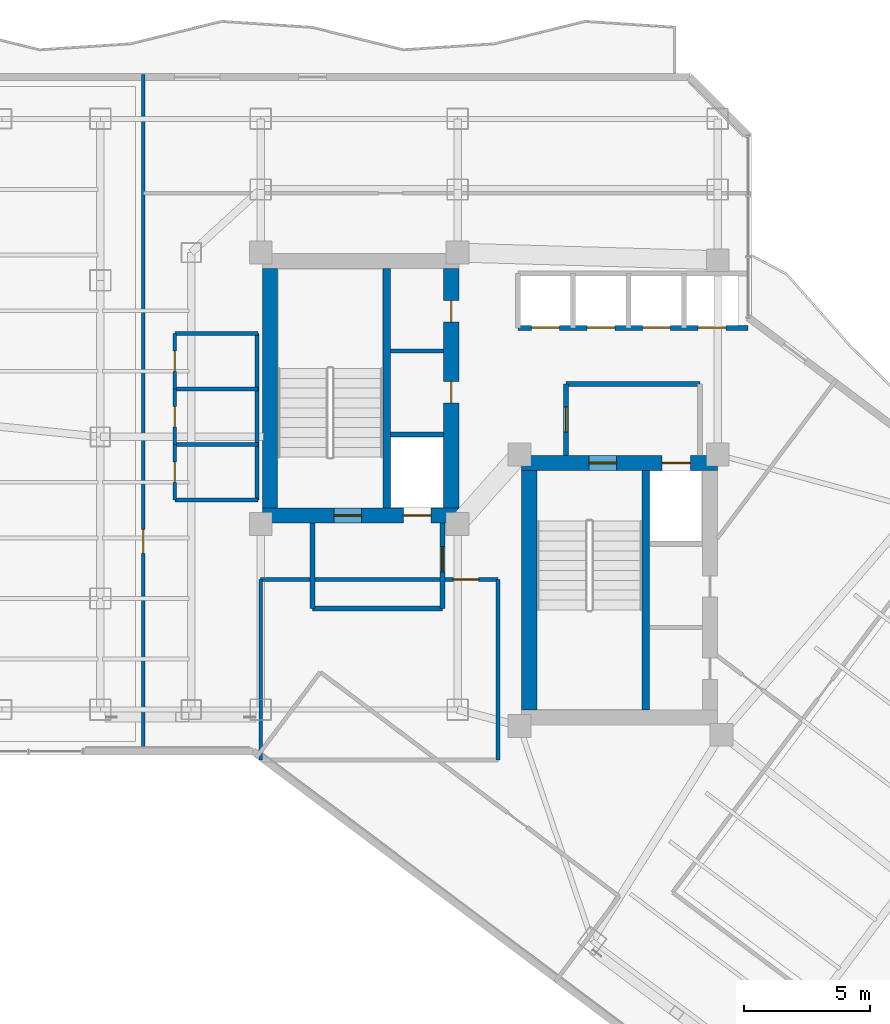
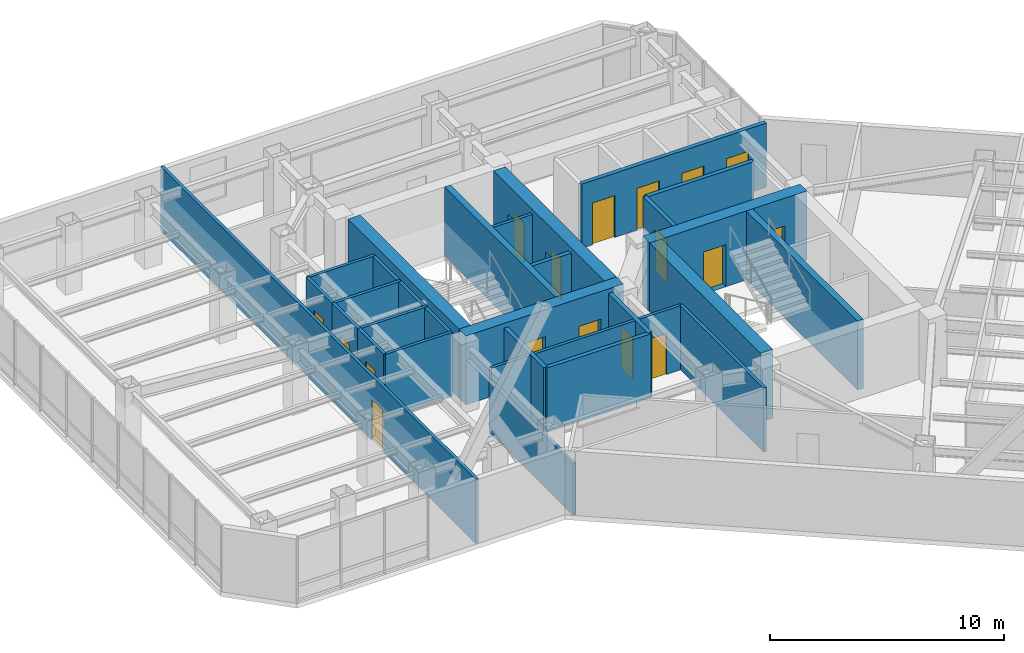
# One storey, part 22 of 26: 27 walls, 17 doors, 17 openings.
"""IFC4 building model written with IfcOpenShell, lengths in metres."""

from ifc_helpers import new_model, si_unit, direction, frame, frame_2d, origin, place, context, subcontext, project, spatial, rectangle, extrude, material, layer, layer_set, type_object, element, fill, save


model = new_model("IFC4")

# Units and contexts
model_context = context("Model", 3, precision=1e-05, world=origin(), true_north=direction((0.0, 1.0)))
body_context = subcontext(model_context, "Body", "Model", "MODEL_VIEW")
ifc_project = project(units=[si_unit("LENGTHUNIT", "METRE"), si_unit("AREAUNIT", "SQUARE_METRE"), si_unit("VOLUMEUNIT", "CUBIC_METRE"), si_unit("PLANEANGLEUNIT", "RADIAN"), si_unit("MASSUNIT", "GRAM", prefix="KILO")], contexts=[model_context])

# Site, building, storey
site_placement = place(None, origin())
site = spatial("IfcSite", under=ifc_project, at=site_placement, CompositionType="ELEMENT")
building_placement = place(site_placement, origin())
building = spatial("IfcBuilding", under=site, at=building_placement, Name="Hatsunagi Terrace Concourse", CompositionType="ELEMENT")
storey_placement = place(building_placement, frame((0.0, 0.0, 134.85009765625)))
storey = spatial("IfcBuildingStorey", under=building, at=storey_placement, Name="L35", CompositionType="ELEMENT", Elevation=134.85009765625)

# Wall, openings, doors
ifc_material_1 = material(Name="Concrete Fc48", Category="concrete")
ifc_layer_1 = layer(ifc_material_1, 0.60009765625)
ifc_layer_set_1 = layer_set([ifc_layer_1], Name="CoreShearWall_Fc48_600")
wall_type_1 = type_object("IfcWallType", Name="CoreShearWall_Fc48_600", PredefinedType="SHEAR", material=ifc_layer_set_1)
wall_1_placement = place(storey_placement, frame((25.6201171875, 32.889892578125, 0.0), z_axis=(0.0, 0.0, 1.0), x_axis=(1.0, 0.0, 0.0)))
wall_1 = element("IfcWall", 1, at=wall_1_placement, inside=storey, type_object=wall_type_1, Name="Core A Shear Wall S L35", PredefinedType="SHEAR", context=body_context, shape_type="SweptSolid", body=[
    extrude(rectangle(XDim=7.77978515625, YDim=0.60009765625, at=frame_2d((3.889892578125, 0.0))), origin(), (0.0, 0.0, 1.0), 3.599853515625),
])
opening_1_placement = place(wall_1_placement, frame((2.830078125, 0.0, 0.0)))
opening_1 = element("IfcOpeningElement", 2, at=opening_1_placement, cuts=wall_1, Name="Opening DR-110S", PredefinedType="OPENING", context=body_context, shape_type="SweptSolid", body=[
    extrude(rectangle(XDim=1.10009765625, YDim=2.199951171875, at=frame_2d((0.550048828125, 1.10009765625))), frame((0.0, 0.31005859375, 0.0), z_axis=(0.0, -1.0, 0.0), x_axis=(1.0, 0.0, 0.0)), (0.0, 0.0, 1.0), 0.6201171875),
])
opening_2_placement = place(wall_1_placement, frame((5.580078125, 0.0, 0.0)))
opening_2 = element("IfcOpeningElement", 3, at=opening_2_placement, cuts=wall_1, Name="Opening LD-01", PredefinedType="OPENING", context=body_context, shape_type="SweptSolid", body=[
    extrude(rectangle(XDim=1.10009765625, YDim=2.14990234375, at=frame_2d((0.550048828125, 1.074951171875))), frame((0.0, 0.31005859375, 0.0), z_axis=(0.0, -1.0, 0.0), x_axis=(1.0, 0.0, 0.0)), (0.0, 0.0, 1.0), 0.6201171875),
])
ifc_material_2 = material(Name="Stainless steel", Category="steel")
door_type_1 = type_object("IfcDoorType", Name="LiftLandingDoor_LD01", OperationType="SLIDING_TO_LEFT", PredefinedType="USERDEFINED", material=ifc_material_2)
door_1_placement = place(opening_2_placement, origin())
door_1 = element("IfcDoor", 4, at=door_1_placement, inside=storey, type_object=door_type_1, Name="Lift landing door FF-01 L35", ObjectType="SLIDING_LANDING_DOOR", OperationType="SLIDING_TO_LEFT", OverallHeight=2.14990234375, OverallWidth=1.10009765625, PredefinedType="USERDEFINED", context=body_context, shape_type="SweptSolid", body=[
    extrude(rectangle(XDim=1.10009765625, YDim=2.14990234375, at=frame_2d((0.550048828125, 1.074951171875))), frame((0.0, 0.02490234375, 0.0), z_axis=(0.0, -1.0, 0.0), x_axis=(1.0, 0.0, 0.0)), (0.0, 0.0, 1.0), 0.050048828125),
])
fill(opening_2, door_1)
ifc_material_3 = material(Name="Painted steel", Category="steel")
door_type_2 = type_object("IfcDoorType", Name="StairFireDoor_EI60_1100", OperationType="NOTDEFINED", PredefinedType="DOOR", material=ifc_material_3)
door_2_placement = place(opening_1_placement, origin())
door_2 = element("IfcDoor", 5, at=door_2_placement, inside=storey, type_object=door_type_2, Name="Stair ST-A Exit Door L35", OperationType="SINGLE_SWING_LEFT", OverallHeight=2.199951171875, OverallWidth=1.10009765625, PredefinedType="DOOR", context=body_context, shape_type="SweptSolid", body=[
    extrude(rectangle(XDim=1.10009765625, YDim=2.199951171875, at=frame_2d((0.550048828125, 1.10009765625))), frame((0.0, 0.02490234375, 0.0), z_axis=(0.0, -1.0, 0.0), x_axis=(1.0, 0.0, 0.0)), (0.0, 0.0, 1.0), 0.050048828125),
])
fill(opening_1, door_2)

# Wall
wall_2_placement = place(storey_placement, frame((25.919921875, 33.18994140625, 0.0), z_axis=(0.0, 0.0, 1.0), x_axis=(0.0, 1.0, 0.0)))
element("IfcWall", 6, at=wall_2_placement, inside=storey, type_object=wall_type_1, Name="Core A Shear Wall W L35", PredefinedType="SHEAR", context=body_context, shape_type="SweptSolid", body=[
    extrude(rectangle(XDim=9.47998046875, YDim=0.60009765625, at=frame_2d((4.739990234375, 0.0))), origin(), (0.0, 0.0, 1.0), 3.599853515625),
])

# Wall, openings, doors
wall_3_placement = place(storey_placement, frame((33.10009765625, 33.18994140625, 0.0), z_axis=(0.0, 0.0, 1.0), x_axis=(0.0, 1.0, 0.0)))
wall_3 = element("IfcWall", 7, at=wall_3_placement, inside=storey, type_object=wall_type_1, Name="Core A Shear Wall E L35", PredefinedType="SHEAR", context=body_context, shape_type="SweptSolid", body=[
    extrude(rectangle(XDim=9.47998046875, YDim=0.60009765625, at=frame_2d((4.739990234375, 0.0))), origin(), (0.0, 0.0, 1.0), 3.599853515625),
])
opening_3_placement = place(wall_3_placement, frame((4.159912109375, 0.0, 0.0)))
opening_3 = element("IfcOpeningElement", 8, at=opening_3_placement, cuts=wall_3, Name="Opening DR-085", PredefinedType="OPENING", context=body_context, shape_type="SweptSolid", body=[
    extrude(rectangle(XDim=0.85009765625, YDim=2.080078125, at=frame_2d((0.425048828125, 1.0400390625))), frame((0.0, 0.31005859375, 0.0), z_axis=(0.0, -1.0, 0.0), x_axis=(1.0, 0.0, 0.0)), (0.0, 0.0, 1.0), 0.6201171875),
])
opening_4_placement = place(wall_3_placement, frame((7.360107421875, 0.0, 0.0)))
opening_4 = element("IfcOpeningElement", 9, at=opening_4_placement, cuts=wall_3, Name="Opening DR-085", PredefinedType="OPENING", context=body_context, shape_type="SweptSolid", body=[
    extrude(rectangle(XDim=0.85009765625, YDim=2.080078125, at=frame_2d((0.425048828125, 1.0400390625))), frame((0.0, 0.31005859375, 0.0), z_axis=(0.0, -1.0, 0.0), x_axis=(1.0, 0.0, 0.0)), (0.0, 0.0, 1.0), 0.6201171875),
])
ifc_material_4 = material(Name="Painted steel", Category="steel")
door_type_3 = type_object("IfcDoorType", Name="RiserAccessDoor_EI60_850", OperationType="NOTDEFINED", PredefinedType="DOOR", material=ifc_material_4)
door_3_placement = place(opening_3_placement, origin())
door_3 = element("IfcDoor", 10, at=door_3_placement, inside=storey, type_object=door_type_3, Name="Core A Riser Door L35-1", OperationType="SINGLE_SWING_LEFT", OverallHeight=2.080078125, OverallWidth=0.85009765625, PredefinedType="DOOR", context=body_context, shape_type="SweptSolid", body=[
    extrude(rectangle(XDim=0.85009765625, YDim=2.080078125, at=frame_2d((0.425048828125, 1.0400390625))), frame((0.0, 0.02490234375, 0.0), z_axis=(0.0, -1.0, 0.0), x_axis=(1.0, 0.0, 0.0)), (0.0, 0.0, 1.0), 0.050048828125),
])
fill(opening_3, door_3)
door_4_placement = place(opening_4_placement, origin())
door_4 = element("IfcDoor", 11, at=door_4_placement, inside=storey, type_object=door_type_3, Name="Core A Riser Door L35-2", OperationType="SINGLE_SWING_LEFT", OverallHeight=2.080078125, OverallWidth=0.85009765625, PredefinedType="DOOR", context=body_context, shape_type="SweptSolid", body=[
    extrude(rectangle(XDim=0.85009765625, YDim=2.080078125, at=frame_2d((0.425048828125, 1.0400390625))), frame((0.0, 0.02490234375, 0.0), z_axis=(0.0, -1.0, 0.0), x_axis=(1.0, 0.0, 0.0)), (0.0, 0.0, 1.0), 0.050048828125),
])
fill(opening_4, door_4)

wall_4_placement = place(storey_placement, frame((35.889892578125, 34.969970703125, 0.0), z_axis=(0.0, 0.0, 1.0), x_axis=(1.0, 0.0, 0.0)))
wall_4 = element("IfcWall", 12, at=wall_4_placement, inside=storey, type_object=wall_type_1, Name="Core B Shear Wall N L35", PredefinedType="SHEAR", context=body_context, shape_type="SweptSolid", body=[
    extrude(rectangle(XDim=7.760009765625, YDim=0.60009765625, at=frame_2d((3.8798828125, 0.0))), origin(), (0.0, 0.0, 1.0), 3.599853515625),
])
opening_5_placement = place(wall_4_placement, frame((2.659912109375, 0.0, 0.0)))
opening_5 = element("IfcOpeningElement", 13, at=opening_5_placement, cuts=wall_4, Name="Opening DR-110S", PredefinedType="OPENING", context=body_context, shape_type="SweptSolid", body=[
    extrude(rectangle(XDim=1.10009765625, YDim=2.199951171875, at=frame_2d((0.550048828125, 1.10009765625))), frame((0.0, 0.31005859375, 0.0), z_axis=(0.0, -1.0, 0.0), x_axis=(1.0, 0.0, 0.0)), (0.0, 0.0, 1.0), 0.6201171875),
])
opening_6_placement = place(wall_4_placement, frame((5.56005859375, 0.0, 0.0)))
opening_6 = element("IfcOpeningElement", 14, at=opening_6_placement, cuts=wall_4, Name="Opening LD-02", PredefinedType="OPENING", context=body_context, shape_type="SweptSolid", body=[
    extrude(rectangle(XDim=1.1201171875, YDim=2.14990234375, at=frame_2d((0.56005859375, 1.074951171875))), frame((0.0, 0.31005859375, 0.0), z_axis=(0.0, -1.0, 0.0), x_axis=(1.0, 0.0, 0.0)), (0.0, 0.0, 1.0), 0.6201171875),
])
ifc_material_5 = material(Name="Stainless steel", Category="steel")
door_type_4 = type_object("IfcDoorType", Name="LiftLandingDoor_LD02", OperationType="SLIDING_TO_RIGHT", PredefinedType="USERDEFINED", material=ifc_material_5)
door_5_placement = place(opening_6_placement, origin())
door_5 = element("IfcDoor", 15, at=door_5_placement, inside=storey, type_object=door_type_4, Name="Lift landing door FF-02 L35", ObjectType="SLIDING_LANDING_DOOR", OperationType="SLIDING_TO_RIGHT", OverallHeight=2.14990234375, OverallWidth=1.1201171875, PredefinedType="USERDEFINED", context=body_context, shape_type="SweptSolid", body=[
    extrude(rectangle(XDim=1.1201171875, YDim=2.14990234375, at=frame_2d((0.56005859375, 1.074951171875))), frame((0.0, 0.02490234375, 0.0), z_axis=(0.0, -1.0, 0.0), x_axis=(1.0, 0.0, 0.0)), (0.0, 0.0, 1.0), 0.050048828125),
])
fill(opening_6, door_5)
door_6_placement = place(opening_5_placement, origin())
door_6 = element("IfcDoor", 16, at=door_6_placement, inside=storey, type_object=door_type_2, Name="Stair ST-B Exit Door L35", OperationType="SINGLE_SWING_RIGHT", OverallHeight=2.199951171875, OverallWidth=1.10009765625, PredefinedType="DOOR", context=body_context, shape_type="SweptSolid", body=[
    extrude(rectangle(XDim=1.10009765625, YDim=2.199951171875, at=frame_2d((0.550048828125, 1.10009765625))), frame((0.0, 0.02490234375, 0.0), z_axis=(0.0, -1.0, 0.0), x_axis=(1.0, 0.0, 0.0)), (0.0, 0.0, 1.0), 0.050048828125),
])
fill(opening_5, door_6)

# Walls
wall_5_placement = place(storey_placement, frame((36.18994140625, 25.18994140625, 0.0), z_axis=(0.0, 0.0, 1.0), x_axis=(0.0, 1.0, 0.0)))
element("IfcWall", 17, at=wall_5_placement, inside=storey, type_object=wall_type_1, Name="Core B Shear Wall W L35", PredefinedType="SHEAR", context=body_context, shape_type="SweptSolid", body=[
    extrude(rectangle(XDim=9.47998046875, YDim=0.60009765625, at=frame_2d((4.739990234375, 0.0))), origin(), (0.0, 0.0, 1.0), 3.599853515625),
])
ifc_material_6 = material(Name="Concrete Fc48", Category="concrete")
ifc_layer_2 = layer(ifc_material_6, 0.300048828125)
ifc_layer_set_2 = layer_set([ifc_layer_2], Name="CoreStairDivider_Fc48_300")
wall_type_2 = type_object("IfcWallType", Name="CoreStairDivider_Fc48_300", PredefinedType="SHEAR", material=ifc_layer_set_2)
for number, where, z_axis, x_axis, name in (
    (18, (30.5400390625, 33.18994140625, 0.0), (0.0, 0.0, 1.0), (0.0, 1.0, 0.0), "Core A Shear Wall D L35"),
    (19, (40.81005859375, 25.18994140625, 0.0), (0.0, 0.0, 1.0), (0.0, 1.0, 0.0), "Core B Shear Wall D L35"),
):
    element("IfcWall", number, at=place(storey_placement, frame(where, z_axis=z_axis, x_axis=x_axis)), inside=storey, type_object=wall_type_2, Name=name, PredefinedType="SHEAR", context=body_context, shape_type="SweptSolid", body=[
        extrude(rectangle(XDim=9.47998046875, YDim=0.300048828125, at=frame_2d((4.739990234375, 0.0))), origin(), (0.0, 0.0, 1.0), 3.599853515625),
    ])
ifc_material_7 = material(Name="Acoustic mineral board", Category="gypsum")
ifc_layer_3 = layer(ifc_material_7, 0.14990234375)
ifc_layer_set_3 = layer_set([ifc_layer_3], Name="PartitionWall_EI60_150")
wall_type_3 = type_object("IfcWallType", Name="PartitionWall_EI60_150", PredefinedType="PARTITIONING", material=ifc_layer_set_3)
wall_6_placement = place(storey_placement, frame((30.699951171875, 39.39990234375, 0.0), z_axis=(0.0, 0.0, 1.0), x_axis=(1.0, 0.0, 0.0)))
element("IfcWall", 20, at=wall_6_placement, inside=storey, type_object=wall_type_3, Name="Interior Partition IW-L35-002", PredefinedType="PARTITIONING", context=body_context, shape_type="SweptSolid", body=[
    extrude(rectangle(XDim=2.10009765625, YDim=0.14990234375, at=frame_2d((1.050048828125, 0.0))), origin(), (0.0, 0.0, 1.0), 3.349853515625),
])
for number, where, z_axis, x_axis, name in (
    (21, (22.14990234375, 33.5, 0.0), (0.0, 0.0, 1.0), (1.0, 0.0, 0.0), "Interior Partition IW-L35-017"),
    (22, (22.14990234375, 40.10009765625, 0.0), (0.0, 0.0, 1.0), (1.0, 0.0, 0.0), "Interior Partition IW-L35-018"),
):
    element("IfcWall", number, at=place(storey_placement, frame(where, z_axis=z_axis, x_axis=x_axis)), inside=storey, type_object=wall_type_3, Name=name, PredefinedType="PARTITIONING", context=body_context, shape_type="SweptSolid", body=[
        extrude(rectangle(XDim=3.300048828125, YDim=0.14990234375, at=frame_2d((1.64990234375, 0.0))), origin(), (0.0, 0.0, 1.0), 3.349853515625),
    ])
wall_7_placement = place(storey_placement, frame((25.39990234375, 33.5, 0.0), z_axis=(0.0, 0.0, 1.0), x_axis=(0.0, 1.0, 0.0)))
element("IfcWall", 23, at=wall_7_placement, inside=storey, type_object=wall_type_3, Name="Interior Partition IW-L35-019", PredefinedType="PARTITIONING", context=body_context, shape_type="SweptSolid", body=[
    extrude(rectangle(XDim=6.60009765625, YDim=0.14990234375, at=frame_2d((3.300048828125, 0.0))), origin(), (0.0, 0.0, 1.0), 3.349853515625),
])
for number, where, z_axis, x_axis, name in (
    (24, (22.14990234375, 35.699951171875, 0.0), (0.0, 0.0, 1.0), (1.0, 0.0, 0.0), "Interior Partition IW-L35-020"),
    (25, (22.14990234375, 37.89990234375, 0.0), (0.0, 0.0, 1.0), (1.0, 0.0, 0.0), "Interior Partition IW-L35-021"),
):
    element("IfcWall", number, at=place(storey_placement, frame(where, z_axis=z_axis, x_axis=x_axis)), inside=storey, type_object=wall_type_3, Name=name, PredefinedType="PARTITIONING", context=body_context, shape_type="SweptSolid", body=[
        extrude(rectangle(XDim=3.300048828125, YDim=0.14990234375, at=frame_2d((1.64990234375, 0.0))), origin(), (0.0, 0.0, 1.0), 3.349853515625),
    ])

# Wall, opening, door
wall_8_placement = place(storey_placement, frame((22.14990234375, 33.5, 0.0), z_axis=(0.0, 0.0, 1.0), x_axis=(0.0, 1.0, 0.0)))
wall_8 = element("IfcWall", 26, at=wall_8_placement, inside=storey, type_object=wall_type_3, Name="Interior Partition IW-L35-022", PredefinedType="PARTITIONING", context=body_context, shape_type="SweptSolid", body=[
    extrude(rectangle(XDim=2.199951171875, YDim=0.14990234375, at=frame_2d((1.10009765625, 0.0))), origin(), (0.0, 0.0, 1.0), 3.349853515625),
])
opening_7_placement = place(wall_8_placement, frame((0.699951171875, 0.0, 0.0)))
opening_7 = element("IfcOpeningElement", 27, at=opening_7_placement, cuts=wall_8, Name="Opening DR-080", PredefinedType="OPENING", context=body_context, shape_type="SweptSolid", body=[
    extrude(rectangle(XDim=0.800048828125, YDim=2.06005859375, at=frame_2d((0.39990234375, 1.030029296875))), frame((0.0, 0.0849609375, 0.0), z_axis=(0.0, -1.0, 0.0), x_axis=(1.0, 0.0, 0.0)), (0.0, 0.0, 1.0), 0.169921875),
])
ifc_material_8 = material(Name="Hardwood timber", Category="wood")
door_type_5 = type_object("IfcDoorType", Name="BathroomDoor_800", OperationType="NOTDEFINED", PredefinedType="DOOR", material=ifc_material_8)
door_7_placement = place(opening_7_placement, origin())
door_7 = element("IfcDoor", 28, at=door_7_placement, inside=storey, type_object=door_type_5, Name="Accessible WC Door L35", OperationType="SINGLE_SWING_RIGHT", OverallHeight=2.06005859375, OverallWidth=0.800048828125, PredefinedType="DOOR", context=body_context, shape_type="SweptSolid", body=[
    extrude(rectangle(XDim=0.800048828125, YDim=2.06005859375, at=frame_2d((0.39990234375, 1.030029296875))), frame((0.0, 0.02490234375, 0.0), z_axis=(0.0, -1.0, 0.0), x_axis=(1.0, 0.0, 0.0)), (0.0, 0.0, 1.0), 0.050048828125),
])
fill(opening_7, door_7)

wall_9_placement = place(storey_placement, frame((22.14990234375, 35.699951171875, 0.0), z_axis=(0.0, 0.0, 1.0), x_axis=(0.0, 1.0, 0.0)))
wall_9 = element("IfcWall", 29, at=wall_9_placement, inside=storey, type_object=wall_type_3, Name="Interior Partition IW-L35-023", PredefinedType="PARTITIONING", context=body_context, shape_type="SweptSolid", body=[
    extrude(rectangle(XDim=2.199951171875, YDim=0.14990234375, at=frame_2d((1.10009765625, 0.0))), origin(), (0.0, 0.0, 1.0), 3.349853515625),
])
opening_8_placement = place(wall_9_placement, frame((0.699951171875, 0.0, 0.0)))
opening_8 = element("IfcOpeningElement", 30, at=opening_8_placement, cuts=wall_9, Name="Opening DR-080", PredefinedType="OPENING", context=body_context, shape_type="SweptSolid", body=[
    extrude(rectangle(XDim=0.800048828125, YDim=2.06005859375, at=frame_2d((0.39990234375, 1.030029296875))), frame((0.0, 0.0849609375, 0.0), z_axis=(0.0, -1.0, 0.0), x_axis=(1.0, 0.0, 0.0)), (0.0, 0.0, 1.0), 0.169921875),
])
door_8_placement = place(opening_8_placement, origin())
door_8 = element("IfcDoor", 31, at=door_8_placement, inside=storey, type_object=door_type_5, Name="Female Restroom Door L35", OperationType="SINGLE_SWING_RIGHT", OverallHeight=2.06005859375, OverallWidth=0.800048828125, PredefinedType="DOOR", context=body_context, shape_type="SweptSolid", body=[
    extrude(rectangle(XDim=0.800048828125, YDim=2.06005859375, at=frame_2d((0.39990234375, 1.030029296875))), frame((0.0, 0.02490234375, 0.0), z_axis=(0.0, -1.0, 0.0), x_axis=(1.0, 0.0, 0.0)), (0.0, 0.0, 1.0), 0.050048828125),
])
fill(opening_8, door_8)

wall_10_placement = place(storey_placement, frame((22.14990234375, 37.89990234375, 0.0), z_axis=(0.0, 0.0, 1.0), x_axis=(0.0, 1.0, 0.0)))
wall_10 = element("IfcWall", 32, at=wall_10_placement, inside=storey, type_object=wall_type_3, Name="Interior Partition IW-L35-024", PredefinedType="PARTITIONING", context=body_context, shape_type="SweptSolid", body=[
    extrude(rectangle(XDim=2.2001953125, YDim=0.14990234375, at=frame_2d((1.10009765625, 0.0))), origin(), (0.0, 0.0, 1.0), 3.349853515625),
])
opening_9_placement = place(wall_10_placement, frame((0.699951171875, 0.0, 0.0)))
opening_9 = element("IfcOpeningElement", 33, at=opening_9_placement, cuts=wall_10, Name="Opening DR-080", PredefinedType="OPENING", context=body_context, shape_type="SweptSolid", body=[
    extrude(rectangle(XDim=0.800048828125, YDim=2.06005859375, at=frame_2d((0.39990234375, 1.030029296875))), frame((0.0, 0.0849609375, 0.0), z_axis=(0.0, -1.0, 0.0), x_axis=(1.0, 0.0, 0.0)), (0.0, 0.0, 1.0), 0.169921875),
])
door_9_placement = place(opening_9_placement, origin())
door_9 = element("IfcDoor", 34, at=door_9_placement, inside=storey, type_object=door_type_5, Name="Male Restroom Door L35", OperationType="SINGLE_SWING_RIGHT", OverallHeight=2.06005859375, OverallWidth=0.800048828125, PredefinedType="DOOR", context=body_context, shape_type="SweptSolid", body=[
    extrude(rectangle(XDim=0.800048828125, YDim=2.06005859375, at=frame_2d((0.39990234375, 1.030029296875))), frame((0.0, 0.02490234375, 0.0), z_axis=(0.0, -1.0, 0.0), x_axis=(1.0, 0.0, 0.0)), (0.0, 0.0, 1.0), 0.050048828125),
])
fill(opening_9, door_9)

wall_11_placement = place(storey_placement, frame((25.550048828125, 30.35009765625, 0.0), z_axis=(0.0, 0.0, 1.0), x_axis=(1.0, 0.0, 0.0)))
wall_11 = element("IfcWall", 35, at=wall_11_placement, inside=storey, type_object=wall_type_3, Name="Interior Partition IW-L35-026", PredefinedType="PARTITIONING", context=body_context, shape_type="SweptSolid", body=[
    extrude(rectangle(XDim=9.39990234375, YDim=0.14990234375, at=frame_2d((4.699951171875, 0.0))), origin(), (0.0, 0.0, 1.0), 3.349853515625),
])
opening_10_placement = place(wall_11_placement, frame((7.637939453125, 0.0, 0.0)))
opening_10 = element("IfcOpeningElement", 36, at=opening_10_placement, cuts=wall_11, Name="Opening DR-100S", PredefinedType="OPENING", context=body_context, shape_type="SweptSolid", body=[
    extrude(rectangle(XDim=1.0, YDim=2.14990234375, at=frame_2d((0.5, 1.074951171875))), frame((0.0, 0.0849609375, 0.0), z_axis=(0.0, -1.0, 0.0), x_axis=(1.0, 0.0, 0.0)), (0.0, 0.0, 1.0), 0.169921875),
])
ifc_material_9 = material(Name="Hardwood timber", Category="wood")
door_type_6 = type_object("IfcDoorType", Name="SuiteDoor_EI30_1000", OperationType="NOTDEFINED", PredefinedType="DOOR", material=ifc_material_9)
door_10_placement = place(opening_10_placement, origin())
door_10 = element("IfcDoor", 37, at=door_10_placement, inside=storey, type_object=door_type_6, Name="Breakout Pantry L35-RECL1 Door", OperationType="SINGLE_SWING_RIGHT", OverallHeight=2.14990234375, OverallWidth=1.0, PredefinedType="DOOR", context=body_context, shape_type="SweptSolid", body=[
    extrude(rectangle(XDim=1.0, YDim=2.14990234375, at=frame_2d((0.5, 1.074951171875))), frame((0.0, 0.02490234375, 0.0), z_axis=(0.0, -1.0, 0.0), x_axis=(1.0, 0.0, 0.0)), (0.0, 0.0, 1.0), 0.050048828125),
])
fill(opening_10, door_10)

# Walls
wall_12_placement = place(storey_placement, frame((25.550048828125, 23.199951171875, 0.0), z_axis=(0.0, 0.0, 1.0), x_axis=(0.0, 1.0, 0.0)))
element("IfcWall", 38, at=wall_12_placement, inside=storey, type_object=wall_type_3, Name="Interior Partition IW-L35-027", PredefinedType="PARTITIONING", context=body_context, shape_type="SweptSolid", body=[
    extrude(rectangle(XDim=7.150146484375, YDim=0.14990234375, at=frame_2d((3.5751953125, 0.0))), origin(), (0.0, 0.0, 1.0), 2.69482421875),
])
wall_13_placement = place(storey_placement, frame((34.949951171875, 23.199951171875, 0.0), z_axis=(0.0, 0.0, 1.0), x_axis=(0.0, 1.0, 0.0)))
element("IfcWall", 39, at=wall_13_placement, inside=storey, type_object=wall_type_3, Name="Interior Partition IW-L35-028", PredefinedType="PARTITIONING", context=body_context, shape_type="SweptSolid", body=[
    extrude(rectangle(XDim=7.150146484375, YDim=0.14990234375, at=frame_2d((3.5751953125, 0.0))), origin(), (0.0, 0.0, 1.0), 3.349853515625),
])

# Wall, opening, door
wall_14_placement = place(storey_placement, frame((20.89990234375, 23.43994140625, 0.0), z_axis=(0.0, 0.0, 1.0), x_axis=(0.0, 1.0, 0.0)))
wall_14 = element("IfcWall", 40, at=wall_14_placement, inside=storey, type_object=wall_type_3, Name="Interior Partition IW-L35-029", PredefinedType="PARTITIONING", context=body_context, shape_type="SweptSolid", body=[
    extrude(rectangle(XDim=26.920166015625, YDim=0.14990234375, at=frame_2d((13.4599609375, 0.0))), origin(), (0.0, 0.0, 1.0), 3.349853515625),
])
opening_11_placement = place(wall_14_placement, frame((7.943115234375, 0.0, 0.0)))
opening_11 = element("IfcOpeningElement", 41, at=opening_11_placement, cuts=wall_14, Name="Opening DR-095", PredefinedType="OPENING", context=body_context, shape_type="SweptSolid", body=[
    extrude(rectangle(XDim=0.949951171875, YDim=2.14990234375, at=frame_2d((0.47509765625, 1.074951171875))), frame((0.0, 0.0849609375, 0.0), z_axis=(0.0, -1.0, 0.0), x_axis=(1.0, 0.0, 0.0)), (0.0, 0.0, 1.0), 0.169921875),
])
ifc_material_10 = material(Name="Hardwood timber", Category="wood")
door_type_7 = type_object("IfcDoorType", Name="InteriorSuiteDoor_EI30_950", OperationType="NOTDEFINED", PredefinedType="DOOR", material=ifc_material_10)
door_11_placement = place(opening_11_placement, origin())
door_11 = element("IfcDoor", 42, at=door_11_placement, inside=storey, type_object=door_type_7, Name="Open Plan Office L35-OW1 Door", OperationType="SINGLE_SWING_RIGHT", OverallHeight=2.14990234375, OverallWidth=0.949951171875, PredefinedType="DOOR", context=body_context, shape_type="SweptSolid", body=[
    extrude(rectangle(XDim=0.949951171875, YDim=2.14990234375, at=frame_2d((0.47509765625, 1.074951171875))), frame((0.0, 0.02490234375, 0.0), z_axis=(0.0, -1.0, 0.0), x_axis=(1.0, 0.0, 0.0)), (0.0, 0.0, 1.0), 0.050048828125),
])
fill(opening_11, door_11)

# Walls
ifc_material_11 = material(Name="Acoustic mineral board", Category="gypsum")
ifc_layer_4 = layer(ifc_material_11, 0.199951171875)
ifc_layer_set_4 = layer_set([ifc_layer_4], Name="ShaftWall_EI120_200")
wall_type_4 = type_object("IfcWallType", Name="ShaftWall_EI120_200", PredefinedType="STANDARD", material=ifc_layer_set_4)
wall_15_placement = place(storey_placement, frame((30.699951171875, 36.10009765625, 0.0), z_axis=(0.0, 0.0, 1.0), x_axis=(1.0, 0.0, 0.0)))
element("IfcWall", 43, at=wall_15_placement, inside=storey, type_object=wall_type_4, Name="Interior Partition IW-L35-001", PredefinedType="STANDARD", context=body_context, shape_type="SweptSolid", body=[
    extrude(rectangle(XDim=2.10009765625, YDim=0.199951171875, at=frame_2d((1.050048828125, 0.0))), origin(), (0.0, 0.0, 1.0), 3.349853515625),
])
wall_16_placement = place(storey_placement, frame((27.60009765625, 29.199951171875, 0.0), z_axis=(0.0, 0.0, 1.0), x_axis=(1.0, 0.0, 0.0)))
element("IfcWall", 44, at=wall_16_placement, inside=storey, type_object=wall_type_4, Name="Interior Partition IW-L35-005", PredefinedType="STANDARD", context=body_context, shape_type="SweptSolid", body=[
    extrude(rectangle(XDim=5.14990234375, YDim=0.199951171875, at=frame_2d((2.574951171875, 0.0))), origin(), (0.0, 0.0, 1.0), 3.349853515625),
])
wall_17_placement = place(storey_placement, frame((27.60009765625, 29.199951171875, 0.0), z_axis=(0.0, 0.0, 1.0), x_axis=(0.0, 1.0, 0.0)))
element("IfcWall", 45, at=wall_17_placement, inside=storey, type_object=wall_type_4, Name="Interior Partition IW-L35-006", PredefinedType="STANDARD", context=body_context, shape_type="SweptSolid", body=[
    extrude(rectangle(XDim=3.39013671875, YDim=0.199951171875, at=frame_2d((1.695068359375, 0.0))), origin(), (0.0, 0.0, 1.0), 3.349853515625),
])

# Wall, opening, door
wall_18_placement = place(storey_placement, frame((32.75, 29.199951171875, 0.0), z_axis=(0.0, 0.0, 1.0), x_axis=(0.0, 1.0, 0.0)))
wall_18 = element("IfcWall", 46, at=wall_18_placement, inside=storey, type_object=wall_type_4, Name="Interior Partition IW-L35-007", PredefinedType="STANDARD", context=body_context, shape_type="SweptSolid", body=[
    extrude(rectangle(XDim=3.39013671875, YDim=0.199951171875, at=frame_2d((1.695068359375, 0.0))), origin(), (0.0, 0.0, 1.0), 3.349853515625),
])
opening_12_placement = place(wall_18_placement, frame((1.449951171875, 0.0, 0.0)))
opening_12 = element("IfcOpeningElement", 47, at=opening_12_placement, cuts=wall_18, Name="Opening DR-100F", PredefinedType="OPENING", context=body_context, shape_type="SweptSolid", body=[
    extrude(rectangle(XDim=1.0, YDim=2.199951171875, at=frame_2d((0.5, 1.10009765625))), frame((0.0, 0.10986328125, 0.0), z_axis=(0.0, -1.0, 0.0), x_axis=(1.0, 0.0, 0.0)), (0.0, 0.0, 1.0), 0.219970703125),
])
ifc_material_12 = material(Name="Painted steel", Category="steel")
door_type_8 = type_object("IfcDoorType", Name="FireDoor_EI60_1000", OperationType="NOTDEFINED", PredefinedType="DOOR", material=ifc_material_12)
door_12_placement = place(opening_12_placement, origin())
door_12 = element("IfcDoor", 48, at=door_12_placement, inside=storey, type_object=door_type_8, Name="Firefighting Lobby A Door L35", OperationType="SINGLE_SWING_RIGHT", OverallHeight=2.199951171875, OverallWidth=1.0, PredefinedType="DOOR", context=body_context, shape_type="SweptSolid", body=[
    extrude(rectangle(XDim=1.0, YDim=2.199951171875, at=frame_2d((0.5, 1.10009765625))), frame((0.0, 0.02490234375, 0.0), z_axis=(0.0, -1.0, 0.0), x_axis=(1.0, 0.0, 0.0)), (0.0, 0.0, 1.0), 0.050048828125),
])
fill(opening_12, door_12)

# Wall
wall_19_placement = place(storey_placement, frame((37.64990234375, 38.10009765625, 0.0), z_axis=(0.0, 0.0, 1.0), x_axis=(1.0, 0.0, 0.0)))
element("IfcWall", 49, at=wall_19_placement, inside=storey, type_object=wall_type_4, Name="Interior Partition IW-L35-008", PredefinedType="STANDARD", context=body_context, shape_type="SweptSolid", body=[
    extrude(rectangle(XDim=5.300048828125, YDim=0.199951171875, at=frame_2d((2.64990234375, 0.0))), origin(), (0.0, 0.0, 1.0), 3.349853515625),
])

# Wall, opening, door
wall_20_placement = place(storey_placement, frame((37.64990234375, 35.27001953125, 0.0), z_axis=(0.0, 0.0, 1.0), x_axis=(0.0, 1.0, 0.0)))
wall_20 = element("IfcWall", 50, at=wall_20_placement, inside=storey, type_object=wall_type_4, Name="Interior Partition IW-L35-010", PredefinedType="STANDARD", context=body_context, shape_type="SweptSolid", body=[
    extrude(rectangle(XDim=2.830078125, YDim=0.199951171875, at=frame_2d((1.4150390625, 0.0))), origin(), (0.0, 0.0, 1.0), 3.349853515625),
])
opening_13_placement = place(wall_20_placement, frame((0.9150390625, 0.0, 0.0)))
opening_13 = element("IfcOpeningElement", 51, at=opening_13_placement, cuts=wall_20, Name="Opening DR-100F", PredefinedType="OPENING", context=body_context, shape_type="SweptSolid", body=[
    extrude(rectangle(XDim=1.0, YDim=2.199951171875, at=frame_2d((0.5, 1.10009765625))), frame((0.0, 0.10986328125, 0.0), z_axis=(0.0, -1.0, 0.0), x_axis=(1.0, 0.0, 0.0)), (0.0, 0.0, 1.0), 0.219970703125),
])
door_13_placement = place(opening_13_placement, origin())
door_13 = element("IfcDoor", 52, at=door_13_placement, inside=storey, type_object=door_type_8, Name="Firefighting Lobby B Door L35", OperationType="SINGLE_SWING_RIGHT", OverallHeight=2.199951171875, OverallWidth=1.0, PredefinedType="DOOR", context=body_context, shape_type="SweptSolid", body=[
    extrude(rectangle(XDim=1.0, YDim=2.199951171875, at=frame_2d((0.5, 1.10009765625))), frame((0.0, 0.02490234375, 0.0), z_axis=(0.0, -1.0, 0.0), x_axis=(1.0, 0.0, 0.0)), (0.0, 0.0, 1.0), 0.050048828125),
])
fill(opening_13, door_13)

# Wall, openings, doors
wall_21_placement = place(storey_placement, frame((35.75, 40.320068359375, 0.0), z_axis=(0.0, 0.0, 1.0), x_axis=(1.0, 0.0, 0.0)))
wall_21 = element("IfcWall", 53, at=wall_21_placement, inside=storey, type_object=wall_type_4, Name="Interior Partition IW-L35-016", PredefinedType="STANDARD", context=body_context, shape_type="SweptSolid", body=[
    extrude(rectangle(XDim=9.110107421875, YDim=0.199951171875, at=frame_2d((4.55517578125, 0.0))), origin(), (0.0, 0.0, 1.0), 3.349853515625),
])
opening_14_placement = place(wall_21_placement, frame((0.530029296875, 0.0, 0.0)))
opening_14 = element("IfcOpeningElement", 54, at=opening_14_placement, cuts=wall_21, Name="Opening LD-04", PredefinedType="OPENING", context=body_context, shape_type="SweptSolid", body=[
    extrude(rectangle(XDim=1.10009765625, YDim=2.179931640625, at=frame_2d((0.550048828125, 1.08984375))), frame((0.0, 0.10986328125, 0.0), z_axis=(0.0, -1.0, 0.0), x_axis=(1.0, 0.0, 0.0)), (0.0, 0.0, 1.0), 0.219970703125),
])
opening_15_placement = place(wall_21_placement, frame((2.72998046875, 0.0, 0.0)))
opening_15 = element("IfcOpeningElement", 55, at=opening_15_placement, cuts=wall_21, Name="Opening LD-04", PredefinedType="OPENING", context=body_context, shape_type="SweptSolid", body=[
    extrude(rectangle(XDim=1.10009765625, YDim=2.179931640625, at=frame_2d((0.550048828125, 1.08984375))), frame((0.0, 0.10986328125, 0.0), z_axis=(0.0, -1.0, 0.0), x_axis=(1.0, 0.0, 0.0)), (0.0, 0.0, 1.0), 0.219970703125),
])
opening_16_placement = place(wall_21_placement, frame((4.929931640625, 0.0, 0.0)))
opening_16 = element("IfcOpeningElement", 56, at=opening_16_placement, cuts=wall_21, Name="Opening LD-04", PredefinedType="OPENING", context=body_context, shape_type="SweptSolid", body=[
    extrude(rectangle(XDim=1.10009765625, YDim=2.179931640625, at=frame_2d((0.550048828125, 1.08984375))), frame((0.0, 0.10986328125, 0.0), z_axis=(0.0, -1.0, 0.0), x_axis=(1.0, 0.0, 0.0)), (0.0, 0.0, 1.0), 0.219970703125),
])
opening_17_placement = place(wall_21_placement, frame((7.1298828125, 0.0, 0.0)))
opening_17 = element("IfcOpeningElement", 57, at=opening_17_placement, cuts=wall_21, Name="Opening LD-04", PredefinedType="OPENING", context=body_context, shape_type="SweptSolid", body=[
    extrude(rectangle(XDim=1.10009765625, YDim=2.179931640625, at=frame_2d((0.550048828125, 1.08984375))), frame((0.0, 0.10986328125, 0.0), z_axis=(0.0, -1.0, 0.0), x_axis=(1.0, 0.0, 0.0)), (0.0, 0.0, 1.0), 0.219970703125),
])
ifc_material_13 = material(Name="Stainless steel", Category="steel")
door_type_9 = type_object("IfcDoorType", Name="LiftLandingDoor_LD04", OperationType="SLIDING_TO_RIGHT", PredefinedType="USERDEFINED", material=ifc_material_13)
door_14_placement = place(opening_14_placement, origin())
door_14 = element("IfcDoor", 58, at=door_14_placement, inside=storey, type_object=door_type_9, Name="Lift landing door PL-05 L35", ObjectType="SLIDING_LANDING_DOOR", OperationType="SLIDING_TO_RIGHT", OverallHeight=2.179931640625, OverallWidth=1.10009765625, PredefinedType="USERDEFINED", context=body_context, shape_type="SweptSolid", body=[
    extrude(rectangle(XDim=1.10009765625, YDim=2.179931640625, at=frame_2d((0.550048828125, 1.08984375))), frame((0.0, 0.02490234375, 0.0), z_axis=(0.0, -1.0, 0.0), x_axis=(1.0, 0.0, 0.0)), (0.0, 0.0, 1.0), 0.050048828125),
])
fill(opening_14, door_14)
door_15_placement = place(opening_15_placement, origin())
door_15 = element("IfcDoor", 59, at=door_15_placement, inside=storey, type_object=door_type_9, Name="Lift landing door PL-06 L35", ObjectType="SLIDING_LANDING_DOOR", OperationType="SLIDING_TO_RIGHT", OverallHeight=2.179931640625, OverallWidth=1.10009765625, PredefinedType="USERDEFINED", context=body_context, shape_type="SweptSolid", body=[
    extrude(rectangle(XDim=1.10009765625, YDim=2.179931640625, at=frame_2d((0.550048828125, 1.08984375))), frame((0.0, 0.02490234375, 0.0), z_axis=(0.0, -1.0, 0.0), x_axis=(1.0, 0.0, 0.0)), (0.0, 0.0, 1.0), 0.050048828125),
])
fill(opening_15, door_15)
door_16_placement = place(opening_16_placement, origin())
door_16 = element("IfcDoor", 60, at=door_16_placement, inside=storey, type_object=door_type_9, Name="Lift landing door PL-07 L35", ObjectType="SLIDING_LANDING_DOOR", OperationType="SLIDING_TO_RIGHT", OverallHeight=2.179931640625, OverallWidth=1.10009765625, PredefinedType="USERDEFINED", context=body_context, shape_type="SweptSolid", body=[
    extrude(rectangle(XDim=1.10009765625, YDim=2.179931640625, at=frame_2d((0.550048828125, 1.08984375))), frame((0.0, 0.02490234375, 0.0), z_axis=(0.0, -1.0, 0.0), x_axis=(1.0, 0.0, 0.0)), (0.0, 0.0, 1.0), 0.050048828125),
])
fill(opening_16, door_16)
door_17_placement = place(opening_17_placement, origin())
door_17 = element("IfcDoor", 61, at=door_17_placement, inside=storey, type_object=door_type_9, Name="Lift landing door PL-08 L35", ObjectType="SLIDING_LANDING_DOOR", OperationType="SLIDING_TO_RIGHT", OverallHeight=2.179931640625, OverallWidth=1.10009765625, PredefinedType="USERDEFINED", context=body_context, shape_type="SweptSolid", body=[
    extrude(rectangle(XDim=1.10009765625, YDim=2.179931640625, at=frame_2d((0.550048828125, 1.08984375))), frame((0.0, 0.02490234375, 0.0), z_axis=(0.0, -1.0, 0.0), x_axis=(1.0, 0.0, 0.0)), (0.0, 0.0, 1.0), 0.050048828125),
])
fill(opening_17, door_17)

save(model, "model.ifc")
